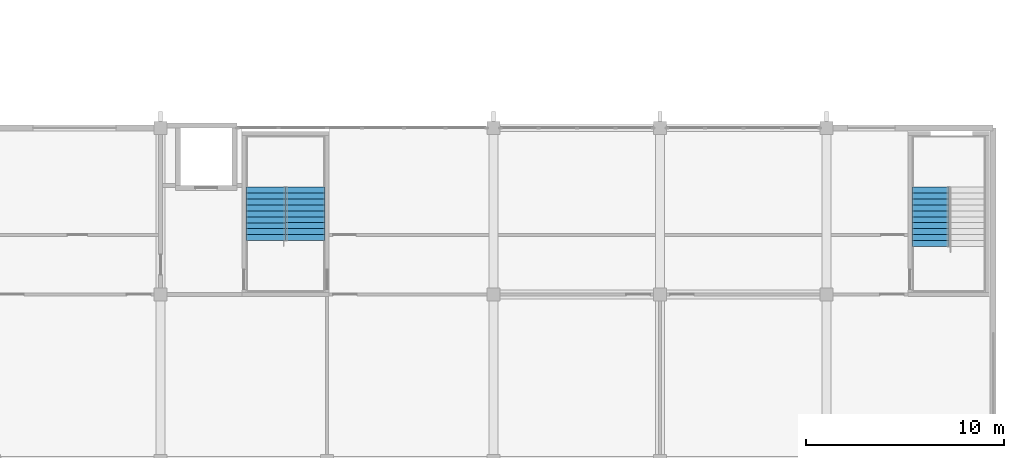
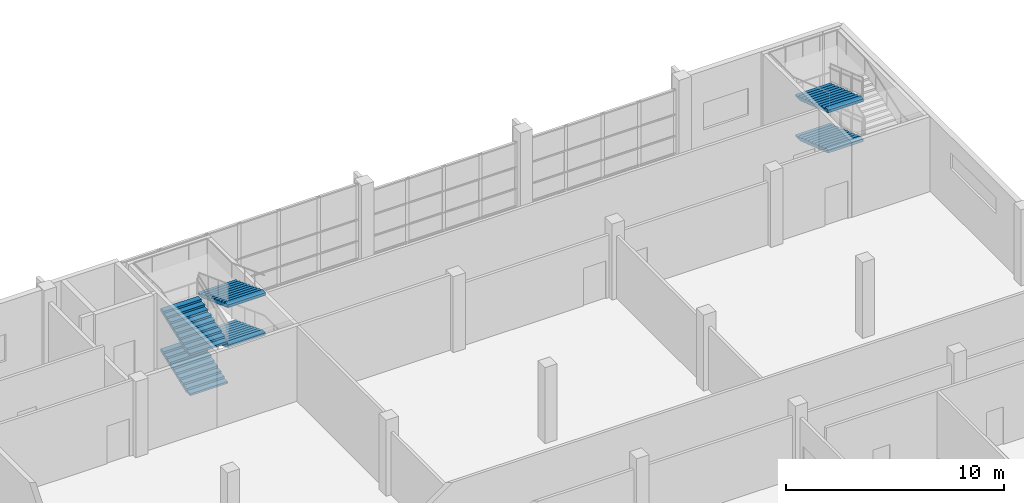
# One storey, part 48 of 64: 6 stair flights, 2 elements without a shape of their own.
"""IFC4 building model written with IfcOpenShell, lengths in metres."""

from ifc_helpers import new_model, si_unit, direction, frame, origin, place, context, subcontext, project, spatial, faceted_brep, material, type_object, element, aggregate, save


model = new_model("IFC4")

# Units and contexts
model_context = context("Model", 3, precision=1e-05, world=origin(), true_north=direction((0.0, 1.0)))
body_context = subcontext(model_context, "Body", "Model", "MODEL_VIEW")
ifc_project = project(units=[si_unit("LENGTHUNIT", "METRE"), si_unit("AREAUNIT", "SQUARE_METRE"), si_unit("VOLUMEUNIT", "CUBIC_METRE"), si_unit("PLANEANGLEUNIT", "RADIAN"), si_unit("MASSUNIT", "GRAM", prefix="KILO")], contexts=[model_context])

# Site, building, storey
site_placement = place(None, origin())
site = spatial("IfcSite", under=ifc_project, at=site_placement, CompositionType="ELEMENT")
building_placement = place(site_placement, origin())
building = spatial("IfcBuilding", under=site, at=building_placement, Name="Rulbaag Community and Learning Centre", CompositionType="ELEMENT")
storey_placement = place(building_placement, frame((0.0, 0.0, 5.39990234375)))
storey = spatial("IfcBuildingStorey", under=building, at=storey_placement, Name="L01", CompositionType="ELEMENT", Elevation=5.39990234375)

# Stair, stair flights
ifc_material = material(Name="Concrete M40", Category="concrete")
stair_type_1 = type_object("IfcStairType", Name="ST-1862 STAIR 1862 WIDE", PredefinedType="HALF_TURN_STAIR", material=ifc_material)
stair_1_placement = place(storey_placement, origin())
stair_1 = element("IfcStair", 1, at=stair_1_placement, inside=storey, type_object=stair_type_1, Name="Stair ST-H4 L01", PredefinedType="HALF_TURN_STAIR")
stair_flight_type_1 = type_object("IfcStairFlightType", Name="FL-1862 FLIGHT 1862 WIDE Concrete M40", PredefinedType="STRAIGHT", material=ifc_material)
stair_flight_1_placement = place(storey_placement, frame((164.831298828125, 47.41259765625, 1.125), z_axis=(0.0, 0.0, 1.0), x_axis=(0.0, -1.0, 0.0)))
stair_flight_1 = element("IfcStairFlight", 2, at=stair_flight_1_placement, type_object=stair_flight_type_1, Name="ST-H4 flight 2", NumberOfRisers=11, NumberOfTreads=10, PredefinedType="STRAIGHT", RiserHeight=0.102272727, TreadLength=0.3, context=body_context, shape_type="Brep", body=[
    faceted_brep([(0.43359375, -0.93115234375, 0.0), (3.0, -0.93115234375, 0.875), (3.0, -0.93115234375, 1.022705078125), (2.699951171875, -0.93115234375, 1.022705078125), (2.699951171875, -0.93115234375, 0.92041015625), (2.39990234375, -0.93115234375, 0.92041015625), (2.39990234375, -0.93115234375, 0.818115234375), (2.10009765625, -0.93115234375, 0.818115234375), (2.10009765625, -0.93115234375, 0.7158203125), (1.800048828125, -0.93115234375, 0.7158203125), (1.800048828125, -0.93115234375, 0.613525390625), (1.5, -0.93115234375, 0.613525390625), (1.5, -0.93115234375, 0.511474609375), (1.199951171875, -0.93115234375, 0.511474609375), (1.199951171875, -0.93115234375, 0.4091796875), (0.89990234375, -0.93115234375, 0.4091796875), (0.89990234375, -0.93115234375, 0.306884765625), (0.60009765625, -0.93115234375, 0.306884765625), (0.60009765625, -0.93115234375, 0.20458984375), (0.300048828125, -0.93115234375, 0.20458984375), (0.300048828125, -0.93115234375, 0.102294921875), (0.0, -0.93115234375, 0.102294921875), (0.0, -0.93115234375, 0.0), (0.0, 0.93115234375, 0.0), (0.0, 0.93115234375, 0.102294921875), (0.300048828125, 0.93115234375, 0.102294921875), (0.300048828125, 0.93115234375, 0.20458984375), (0.60009765625, 0.93115234375, 0.20458984375), (0.60009765625, 0.93115234375, 0.306884765625), (0.89990234375, 0.93115234375, 0.306884765625), (0.89990234375, 0.93115234375, 0.4091796875), (1.199951171875, 0.93115234375, 0.4091796875), (1.199951171875, 0.93115234375, 0.511474609375), (1.5, 0.93115234375, 0.511474609375), (1.5, 0.93115234375, 0.613525390625), (1.800048828125, 0.93115234375, 0.613525390625), (1.800048828125, 0.93115234375, 0.7158203125), (2.10009765625, 0.93115234375, 0.7158203125), (2.10009765625, 0.93115234375, 0.818115234375), (2.39990234375, 0.93115234375, 0.818115234375), (2.39990234375, 0.93115234375, 0.92041015625), (2.699951171875, 0.93115234375, 0.92041015625), (2.699951171875, 0.93115234375, 1.022705078125), (3.0, 0.93115234375, 1.022705078125), (3.0, 0.93115234375, 0.875), (0.43359375, 0.93115234375, 0.0), (0.0, 0.0, 0.102294921875), (0.0, 0.0, 0.0), (0.300048828125, 0.0, 0.102294921875), (0.300048828125, 0.0, 0.20458984375), (0.60009765625, 0.0, 0.20458984375), (0.60009765625, 0.0, 0.306884765625), (0.89990234375, 0.0, 0.306884765625), (0.89990234375, 0.0, 0.4091796875), (1.199951171875, 0.0, 0.4091796875), (1.199951171875, 0.0, 0.511474609375), (1.5, 0.0, 0.511474609375), (1.5, 0.0, 0.613525390625), (1.800048828125, 0.0, 0.613525390625), (1.800048828125, 0.0, 0.7158203125), (2.10009765625, 0.0, 0.7158203125), (2.10009765625, 0.0, 0.818115234375), (2.39990234375, 0.0, 0.818115234375), (2.39990234375, 0.0, 0.92041015625), (2.699951171875, 0.0, 0.92041015625), (2.699951171875, 0.0, 1.022705078125), (3.0, 0.0, 1.022705078125), (3.0, 0.0, 0.875), (0.43359375, 0.0, 0.0)], [[[0, 1, 2, 3, 4, 5, 6, 7, 8, 9, 10, 11, 12, 13, 14, 15, 16, 17, 18, 19, 20, 21, 22]], [[23, 24, 25, 26, 27, 28, 29, 30, 31, 32, 33, 34, 35, 36, 37, 38, 39, 40, 41, 42, 43, 44, 45]], [[22, 21, 46, 47]], [[47, 46, 24, 23]], [[21, 20, 48, 46]], [[46, 48, 25, 24]], [[20, 19, 49, 48]], [[48, 49, 26, 25]], [[19, 18, 50, 49]], [[49, 50, 27, 26]], [[18, 17, 51, 50]], [[50, 51, 28, 27]], [[17, 16, 52, 51]], [[51, 52, 29, 28]], [[16, 15, 53, 52]], [[52, 53, 30, 29]], [[15, 14, 54, 53]], [[53, 54, 31, 30]], [[14, 13, 55, 54]], [[54, 55, 32, 31]], [[13, 12, 56, 55]], [[55, 56, 33, 32]], [[12, 11, 57, 56]], [[56, 57, 34, 33]], [[11, 10, 58, 57]], [[57, 58, 35, 34]], [[10, 9, 59, 58]], [[58, 59, 36, 35]], [[9, 8, 60, 59]], [[59, 60, 37, 36]], [[8, 7, 61, 60]], [[60, 61, 38, 37]], [[7, 6, 62, 61]], [[61, 62, 39, 38]], [[6, 5, 63, 62]], [[62, 63, 40, 39]], [[5, 4, 64, 63]], [[63, 64, 41, 40]], [[4, 3, 65, 64]], [[64, 65, 42, 41]], [[3, 2, 66, 65]], [[65, 66, 43, 42]], [[2, 1, 67, 66]], [[66, 67, 44, 43]], [[1, 0, 68, 67]], [[67, 68, 45, 44]], [[0, 22, 47, 68]], [[68, 47, 23, 45]]]),
])
stair_flight_2_placement = place(storey_placement, frame((164.831298828125, 47.41259765625, 3.375), z_axis=(0.0, 0.0, 1.0), x_axis=(0.0, -1.0, 0.0)))
stair_flight_2 = element("IfcStairFlight", 3, at=stair_flight_2_placement, type_object=stair_flight_type_1, Name="ST-H4 flight 4", NumberOfRisers=11, NumberOfTreads=10, PredefinedType="STRAIGHT", RiserHeight=0.102272727, TreadLength=0.3, context=body_context, shape_type="Brep", body=[
    faceted_brep([(0.43359375, -0.93115234375, 0.0), (3.0, -0.93115234375, 0.875), (3.0, -0.93115234375, 1.022705078125), (2.699951171875, -0.93115234375, 1.022705078125), (2.699951171875, -0.93115234375, 0.92041015625), (2.39990234375, -0.93115234375, 0.92041015625), (2.39990234375, -0.93115234375, 0.818115234375), (2.10009765625, -0.93115234375, 0.818115234375), (2.10009765625, -0.93115234375, 0.7158203125), (1.800048828125, -0.93115234375, 0.7158203125), (1.800048828125, -0.93115234375, 0.613525390625), (1.5, -0.93115234375, 0.613525390625), (1.5, -0.93115234375, 0.511474609375), (1.199951171875, -0.93115234375, 0.511474609375), (1.199951171875, -0.93115234375, 0.4091796875), (0.89990234375, -0.93115234375, 0.4091796875), (0.89990234375, -0.93115234375, 0.306884765625), (0.60009765625, -0.93115234375, 0.306884765625), (0.60009765625, -0.93115234375, 0.20458984375), (0.300048828125, -0.93115234375, 0.20458984375), (0.300048828125, -0.93115234375, 0.102294921875), (0.0, -0.93115234375, 0.102294921875), (0.0, -0.93115234375, 0.0), (0.0, 0.93115234375, 0.0), (0.0, 0.93115234375, 0.102294921875), (0.300048828125, 0.93115234375, 0.102294921875), (0.300048828125, 0.93115234375, 0.20458984375), (0.60009765625, 0.93115234375, 0.20458984375), (0.60009765625, 0.93115234375, 0.306884765625), (0.89990234375, 0.93115234375, 0.306884765625), (0.89990234375, 0.93115234375, 0.4091796875), (1.199951171875, 0.93115234375, 0.4091796875), (1.199951171875, 0.93115234375, 0.511474609375), (1.5, 0.93115234375, 0.511474609375), (1.5, 0.93115234375, 0.613525390625), (1.800048828125, 0.93115234375, 0.613525390625), (1.800048828125, 0.93115234375, 0.7158203125), (2.10009765625, 0.93115234375, 0.7158203125), (2.10009765625, 0.93115234375, 0.818115234375), (2.39990234375, 0.93115234375, 0.818115234375), (2.39990234375, 0.93115234375, 0.92041015625), (2.699951171875, 0.93115234375, 0.92041015625), (2.699951171875, 0.93115234375, 1.022705078125), (3.0, 0.93115234375, 1.022705078125), (3.0, 0.93115234375, 0.875), (0.43359375, 0.93115234375, 0.0), (0.0, 0.0, 0.102294921875), (0.0, 0.0, 0.0), (0.300048828125, 0.0, 0.102294921875), (0.300048828125, 0.0, 0.20458984375), (0.60009765625, 0.0, 0.20458984375), (0.60009765625, 0.0, 0.306884765625), (0.89990234375, 0.0, 0.306884765625), (0.89990234375, 0.0, 0.4091796875), (1.199951171875, 0.0, 0.4091796875), (1.199951171875, 0.0, 0.511474609375), (1.5, 0.0, 0.511474609375), (1.5, 0.0, 0.613525390625), (1.800048828125, 0.0, 0.613525390625), (1.800048828125, 0.0, 0.7158203125), (2.10009765625, 0.0, 0.7158203125), (2.10009765625, 0.0, 0.818115234375), (2.39990234375, 0.0, 0.818115234375), (2.39990234375, 0.0, 0.92041015625), (2.699951171875, 0.0, 0.92041015625), (2.699951171875, 0.0, 1.022705078125), (3.0, 0.0, 1.022705078125), (3.0, 0.0, 0.875), (0.43359375, 0.0, 0.0)], [[[0, 1, 2, 3, 4, 5, 6, 7, 8, 9, 10, 11, 12, 13, 14, 15, 16, 17, 18, 19, 20, 21, 22]], [[23, 24, 25, 26, 27, 28, 29, 30, 31, 32, 33, 34, 35, 36, 37, 38, 39, 40, 41, 42, 43, 44, 45]], [[22, 21, 46, 47]], [[47, 46, 24, 23]], [[21, 20, 48, 46]], [[46, 48, 25, 24]], [[20, 19, 49, 48]], [[48, 49, 26, 25]], [[19, 18, 50, 49]], [[49, 50, 27, 26]], [[18, 17, 51, 50]], [[50, 51, 28, 27]], [[17, 16, 52, 51]], [[51, 52, 29, 28]], [[16, 15, 53, 52]], [[52, 53, 30, 29]], [[15, 14, 54, 53]], [[53, 54, 31, 30]], [[14, 13, 55, 54]], [[54, 55, 32, 31]], [[13, 12, 56, 55]], [[55, 56, 33, 32]], [[12, 11, 57, 56]], [[56, 57, 34, 33]], [[11, 10, 58, 57]], [[57, 58, 35, 34]], [[10, 9, 59, 58]], [[58, 59, 36, 35]], [[9, 8, 60, 59]], [[59, 60, 37, 36]], [[8, 7, 61, 60]], [[60, 61, 38, 37]], [[7, 6, 62, 61]], [[61, 62, 39, 38]], [[6, 5, 63, 62]], [[62, 63, 40, 39]], [[5, 4, 64, 63]], [[63, 64, 41, 40]], [[4, 3, 65, 64]], [[64, 65, 42, 41]], [[3, 2, 66, 65]], [[65, 66, 43, 42]], [[2, 1, 67, 66]], [[66, 67, 44, 43]], [[1, 0, 68, 67]], [[67, 68, 45, 44]], [[0, 22, 47, 68]], [[68, 47, 23, 45]]]),
])
aggregate(stair_1, [stair_flight_1, stair_flight_2])

stair_type_2 = type_object("IfcStairType", Name="ST-2000 STAIR 2000 WIDE", PredefinedType="HALF_TURN_STAIR", material=ifc_material)
stair_2_placement = place(storey_placement, origin())
stair_2 = element("IfcStair", 4, at=stair_2_placement, inside=storey, type_object=stair_type_2, Name="Stair ST-H3 L01", PredefinedType="HALF_TURN_STAIR")
stair_flight_type_2 = type_object("IfcStairFlightType", Name="FL-2000 FLIGHT 2000 WIDE Concrete M40", PredefinedType="STRAIGHT", material=ifc_material)
stair_flight_3_placement = place(storey_placement, frame((131.300048828125, 44.71240234375, 0.0), z_axis=(0.0, 0.0, 1.0), x_axis=(0.0, 1.0, 0.0)))
stair_flight_3 = element("IfcStairFlight", 5, at=stair_flight_3_placement, type_object=stair_flight_type_2, Name="ST-H3 flight 1", NumberOfRisers=10, NumberOfTreads=9, PredefinedType="STRAIGHT", RiserHeight=0.1125, TreadLength=0.3, context=body_context, shape_type="Brep", body=[
    faceted_brep([(0.3984375, -1.0, 0.0), (2.699951171875, -1.0, 0.863037109375), (2.699951171875, -1.0, 1.012451171875), (2.39990234375, -1.0, 1.012451171875), (2.39990234375, -1.0, 0.89990234375), (2.10009765625, -1.0, 0.89990234375), (2.10009765625, -1.0, 0.78759765625), (1.800048828125, -1.0, 0.78759765625), (1.800048828125, -1.0, 0.675048828125), (1.5, -1.0, 0.675048828125), (1.5, -1.0, 0.5625), (1.199951171875, -1.0, 0.5625), (1.199951171875, -1.0, 0.449951171875), (0.89990234375, -1.0, 0.449951171875), (0.89990234375, -1.0, 0.33740234375), (0.60009765625, -1.0, 0.33740234375), (0.60009765625, -1.0, 0.22509765625), (0.300048828125, -1.0, 0.22509765625), (0.300048828125, -1.0, 0.112548828125), (0.0, -1.0, 0.112548828125), (0.0, -1.0, 0.0), (0.0, 1.0, 0.0), (0.0, 1.0, 0.112548828125), (0.300048828125, 1.0, 0.112548828125), (0.300048828125, 1.0, 0.22509765625), (0.60009765625, 1.0, 0.22509765625), (0.60009765625, 1.0, 0.33740234375), (0.89990234375, 1.0, 0.33740234375), (0.89990234375, 1.0, 0.449951171875), (1.199951171875, 1.0, 0.449951171875), (1.199951171875, 1.0, 0.5625), (1.5, 1.0, 0.5625), (1.5, 1.0, 0.675048828125), (1.800048828125, 1.0, 0.675048828125), (1.800048828125, 1.0, 0.78759765625), (2.10009765625, 1.0, 0.78759765625), (2.10009765625, 1.0, 0.89990234375), (2.39990234375, 1.0, 0.89990234375), (2.39990234375, 1.0, 1.012451171875), (2.699951171875, 1.0, 1.012451171875), (2.699951171875, 1.0, 0.863037109375), (0.3984375, 1.0, 0.0), (0.0, -0.333251953125, 0.112548828125), (0.0, -0.333251953125, 0.0), (0.0, 0.333251953125, 0.112548828125), (0.0, 0.333251953125, 0.0), (0.300048828125, -0.333251953125, 0.112548828125), (0.300048828125, 0.333251953125, 0.112548828125), (0.300048828125, -0.333251953125, 0.22509765625), (0.300048828125, 0.333251953125, 0.22509765625), (0.60009765625, -0.333251953125, 0.22509765625), (0.60009765625, 0.333251953125, 0.22509765625), (0.60009765625, -0.333251953125, 0.33740234375), (0.60009765625, 0.333251953125, 0.33740234375), (0.89990234375, -0.333251953125, 0.33740234375), (0.89990234375, 0.333251953125, 0.33740234375), (0.89990234375, -0.333251953125, 0.449951171875), (0.89990234375, 0.333251953125, 0.449951171875), (1.199951171875, -0.333251953125, 0.449951171875), (1.199951171875, 0.333251953125, 0.449951171875), (1.199951171875, -0.333251953125, 0.5625), (1.199951171875, 0.333251953125, 0.5625), (1.5, -0.333251953125, 0.5625), (1.5, 0.333251953125, 0.5625), (1.5, -0.333251953125, 0.675048828125), (1.5, 0.333251953125, 0.675048828125), (1.800048828125, -0.333251953125, 0.675048828125), (1.800048828125, 0.333251953125, 0.675048828125), (1.800048828125, -0.333251953125, 0.78759765625), (1.800048828125, 0.333251953125, 0.78759765625), (2.10009765625, -0.333251953125, 0.78759765625), (2.10009765625, 0.333251953125, 0.78759765625), (2.10009765625, -0.333251953125, 0.89990234375), (2.10009765625, 0.333251953125, 0.89990234375), (2.39990234375, -0.333251953125, 0.89990234375), (2.39990234375, 0.333251953125, 0.89990234375), (2.39990234375, -0.333251953125, 1.012451171875), (2.39990234375, 0.333251953125, 1.012451171875), (2.699951171875, -0.333251953125, 1.012451171875), (2.699951171875, 0.333251953125, 1.012451171875), (2.699951171875, -0.333251953125, 0.863037109375), (2.699951171875, 0.333251953125, 0.863037109375), (0.3984375, -0.333251953125, 0.0), (0.3984375, 0.333251953125, 0.0)], [[[0, 1, 2, 3, 4, 5, 6, 7, 8, 9, 10, 11, 12, 13, 14, 15, 16, 17, 18, 19, 20]], [[21, 22, 23, 24, 25, 26, 27, 28, 29, 30, 31, 32, 33, 34, 35, 36, 37, 38, 39, 40, 41]], [[20, 19, 42, 43]], [[43, 42, 44, 45]], [[45, 44, 22, 21]], [[19, 18, 46, 42]], [[42, 46, 47, 44]], [[44, 47, 23, 22]], [[18, 17, 48, 46]], [[46, 48, 49, 47]], [[47, 49, 24, 23]], [[17, 16, 50, 48]], [[48, 50, 51, 49]], [[49, 51, 25, 24]], [[16, 15, 52, 50]], [[50, 52, 53, 51]], [[51, 53, 26, 25]], [[15, 14, 54, 52]], [[52, 54, 55, 53]], [[53, 55, 27, 26]], [[14, 13, 56, 54]], [[54, 56, 57, 55]], [[55, 57, 28, 27]], [[13, 12, 58, 56]], [[56, 58, 59, 57]], [[57, 59, 29, 28]], [[12, 11, 60, 58]], [[58, 60, 61, 59]], [[59, 61, 30, 29]], [[11, 10, 62, 60]], [[60, 62, 63, 61]], [[61, 63, 31, 30]], [[10, 9, 64, 62]], [[62, 64, 65, 63]], [[63, 65, 32, 31]], [[9, 8, 66, 64]], [[64, 66, 67, 65]], [[65, 67, 33, 32]], [[8, 7, 68, 66]], [[66, 68, 69, 67]], [[67, 69, 34, 33]], [[7, 6, 70, 68]], [[68, 70, 71, 69]], [[69, 71, 35, 34]], [[6, 5, 72, 70]], [[70, 72, 73, 71]], [[71, 73, 36, 35]], [[5, 4, 74, 72]], [[72, 74, 75, 73]], [[73, 75, 37, 36]], [[4, 3, 76, 74]], [[74, 76, 77, 75]], [[75, 77, 38, 37]], [[3, 2, 78, 76]], [[76, 78, 79, 77]], [[77, 79, 39, 38]], [[2, 1, 80, 78]], [[78, 80, 81, 79]], [[79, 81, 40, 39]], [[1, 0, 82, 80]], [[80, 82, 83, 81]], [[81, 83, 41, 40]], [[0, 20, 43, 82]], [[82, 43, 45, 83]], [[83, 45, 21, 41]]]),
])
stair_flight_4_placement = place(storey_placement, frame((133.300048828125, 47.41259765625, 1.125), z_axis=(0.0, 0.0, 1.0), x_axis=(0.0, -1.0, 0.0)))
stair_flight_4 = element("IfcStairFlight", 6, at=stair_flight_4_placement, type_object=stair_flight_type_2, Name="ST-H3 flight 2", NumberOfRisers=10, NumberOfTreads=9, PredefinedType="STRAIGHT", RiserHeight=0.1125, TreadLength=0.3, context=body_context, shape_type="Brep", body=[
    faceted_brep([(0.3984375, -1.0, 0.0), (2.699951171875, -1.0, 0.863037109375), (2.699951171875, -1.0, 1.012451171875), (2.39990234375, -1.0, 1.012451171875), (2.39990234375, -1.0, 0.89990234375), (2.10009765625, -1.0, 0.89990234375), (2.10009765625, -1.0, 0.78759765625), (1.800048828125, -1.0, 0.78759765625), (1.800048828125, -1.0, 0.675048828125), (1.5, -1.0, 0.675048828125), (1.5, -1.0, 0.5625), (1.199951171875, -1.0, 0.5625), (1.199951171875, -1.0, 0.449951171875), (0.89990234375, -1.0, 0.449951171875), (0.89990234375, -1.0, 0.33740234375), (0.60009765625, -1.0, 0.33740234375), (0.60009765625, -1.0, 0.22509765625), (0.300048828125, -1.0, 0.22509765625), (0.300048828125, -1.0, 0.112548828125), (0.0, -1.0, 0.112548828125), (0.0, -1.0, 0.0), (0.0, 1.0, 0.0), (0.0, 1.0, 0.112548828125), (0.300048828125, 1.0, 0.112548828125), (0.300048828125, 1.0, 0.22509765625), (0.60009765625, 1.0, 0.22509765625), (0.60009765625, 1.0, 0.33740234375), (0.89990234375, 1.0, 0.33740234375), (0.89990234375, 1.0, 0.449951171875), (1.199951171875, 1.0, 0.449951171875), (1.199951171875, 1.0, 0.5625), (1.5, 1.0, 0.5625), (1.5, 1.0, 0.675048828125), (1.800048828125, 1.0, 0.675048828125), (1.800048828125, 1.0, 0.78759765625), (2.10009765625, 1.0, 0.78759765625), (2.10009765625, 1.0, 0.89990234375), (2.39990234375, 1.0, 0.89990234375), (2.39990234375, 1.0, 1.012451171875), (2.699951171875, 1.0, 1.012451171875), (2.699951171875, 1.0, 0.863037109375), (0.3984375, 1.0, 0.0), (0.0, -0.333251953125, 0.112548828125), (0.0, -0.333251953125, 0.0), (0.0, 0.333251953125, 0.112548828125), (0.0, 0.333251953125, 0.0), (0.300048828125, -0.333251953125, 0.112548828125), (0.300048828125, 0.333251953125, 0.112548828125), (0.300048828125, -0.333251953125, 0.22509765625), (0.300048828125, 0.333251953125, 0.22509765625), (0.60009765625, -0.333251953125, 0.22509765625), (0.60009765625, 0.333251953125, 0.22509765625), (0.60009765625, -0.333251953125, 0.33740234375), (0.60009765625, 0.333251953125, 0.33740234375), (0.89990234375, -0.333251953125, 0.33740234375), (0.89990234375, 0.333251953125, 0.33740234375), (0.89990234375, -0.333251953125, 0.449951171875), (0.89990234375, 0.333251953125, 0.449951171875), (1.199951171875, -0.333251953125, 0.449951171875), (1.199951171875, 0.333251953125, 0.449951171875), (1.199951171875, -0.333251953125, 0.5625), (1.199951171875, 0.333251953125, 0.5625), (1.5, -0.333251953125, 0.5625), (1.5, 0.333251953125, 0.5625), (1.5, -0.333251953125, 0.675048828125), (1.5, 0.333251953125, 0.675048828125), (1.800048828125, -0.333251953125, 0.675048828125), (1.800048828125, 0.333251953125, 0.675048828125), (1.800048828125, -0.333251953125, 0.78759765625), (1.800048828125, 0.333251953125, 0.78759765625), (2.10009765625, -0.333251953125, 0.78759765625), (2.10009765625, 0.333251953125, 0.78759765625), (2.10009765625, -0.333251953125, 0.89990234375), (2.10009765625, 0.333251953125, 0.89990234375), (2.39990234375, -0.333251953125, 0.89990234375), (2.39990234375, 0.333251953125, 0.89990234375), (2.39990234375, -0.333251953125, 1.012451171875), (2.39990234375, 0.333251953125, 1.012451171875), (2.699951171875, -0.333251953125, 1.012451171875), (2.699951171875, 0.333251953125, 1.012451171875), (2.699951171875, -0.333251953125, 0.863037109375), (2.699951171875, 0.333251953125, 0.863037109375), (0.3984375, -0.333251953125, 0.0), (0.3984375, 0.333251953125, 0.0)], [[[0, 1, 2, 3, 4, 5, 6, 7, 8, 9, 10, 11, 12, 13, 14, 15, 16, 17, 18, 19, 20]], [[21, 22, 23, 24, 25, 26, 27, 28, 29, 30, 31, 32, 33, 34, 35, 36, 37, 38, 39, 40, 41]], [[20, 19, 42, 43]], [[43, 42, 44, 45]], [[45, 44, 22, 21]], [[19, 18, 46, 42]], [[42, 46, 47, 44]], [[44, 47, 23, 22]], [[18, 17, 48, 46]], [[46, 48, 49, 47]], [[47, 49, 24, 23]], [[17, 16, 50, 48]], [[48, 50, 51, 49]], [[49, 51, 25, 24]], [[16, 15, 52, 50]], [[50, 52, 53, 51]], [[51, 53, 26, 25]], [[15, 14, 54, 52]], [[52, 54, 55, 53]], [[53, 55, 27, 26]], [[14, 13, 56, 54]], [[54, 56, 57, 55]], [[55, 57, 28, 27]], [[13, 12, 58, 56]], [[56, 58, 59, 57]], [[57, 59, 29, 28]], [[12, 11, 60, 58]], [[58, 60, 61, 59]], [[59, 61, 30, 29]], [[11, 10, 62, 60]], [[60, 62, 63, 61]], [[61, 63, 31, 30]], [[10, 9, 64, 62]], [[62, 64, 65, 63]], [[63, 65, 32, 31]], [[9, 8, 66, 64]], [[64, 66, 67, 65]], [[65, 67, 33, 32]], [[8, 7, 68, 66]], [[66, 68, 69, 67]], [[67, 69, 34, 33]], [[7, 6, 70, 68]], [[68, 70, 71, 69]], [[69, 71, 35, 34]], [[6, 5, 72, 70]], [[70, 72, 73, 71]], [[71, 73, 36, 35]], [[5, 4, 74, 72]], [[72, 74, 75, 73]], [[73, 75, 37, 36]], [[4, 3, 76, 74]], [[74, 76, 77, 75]], [[75, 77, 38, 37]], [[3, 2, 78, 76]], [[76, 78, 79, 77]], [[77, 79, 39, 38]], [[2, 1, 80, 78]], [[78, 80, 81, 79]], [[79, 81, 40, 39]], [[1, 0, 82, 80]], [[80, 82, 83, 81]], [[81, 83, 41, 40]], [[0, 20, 43, 82]], [[82, 43, 45, 83]], [[83, 45, 21, 41]]]),
])
stair_flight_5_placement = place(storey_placement, frame((131.300048828125, 44.71240234375, 2.25), z_axis=(0.0, 0.0, 1.0), x_axis=(0.0, 1.0, 0.0)))
stair_flight_5 = element("IfcStairFlight", 7, at=stair_flight_5_placement, type_object=stair_flight_type_2, Name="ST-H3 flight 3", NumberOfRisers=10, NumberOfTreads=9, PredefinedType="STRAIGHT", RiserHeight=0.1125, TreadLength=0.3, context=body_context, shape_type="Brep", body=[
    faceted_brep([(0.3984375, -1.0, 0.0), (2.699951171875, -1.0, 0.863037109375), (2.699951171875, -1.0, 1.012451171875), (2.39990234375, -1.0, 1.012451171875), (2.39990234375, -1.0, 0.89990234375), (2.10009765625, -1.0, 0.89990234375), (2.10009765625, -1.0, 0.78759765625), (1.800048828125, -1.0, 0.78759765625), (1.800048828125, -1.0, 0.675048828125), (1.5, -1.0, 0.675048828125), (1.5, -1.0, 0.5625), (1.199951171875, -1.0, 0.5625), (1.199951171875, -1.0, 0.449951171875), (0.89990234375, -1.0, 0.449951171875), (0.89990234375, -1.0, 0.33740234375), (0.60009765625, -1.0, 0.33740234375), (0.60009765625, -1.0, 0.22509765625), (0.300048828125, -1.0, 0.22509765625), (0.300048828125, -1.0, 0.112548828125), (0.0, -1.0, 0.112548828125), (0.0, -1.0, 0.0), (0.0, 1.0, 0.0), (0.0, 1.0, 0.112548828125), (0.300048828125, 1.0, 0.112548828125), (0.300048828125, 1.0, 0.22509765625), (0.60009765625, 1.0, 0.22509765625), (0.60009765625, 1.0, 0.33740234375), (0.89990234375, 1.0, 0.33740234375), (0.89990234375, 1.0, 0.449951171875), (1.199951171875, 1.0, 0.449951171875), (1.199951171875, 1.0, 0.5625), (1.5, 1.0, 0.5625), (1.5, 1.0, 0.675048828125), (1.800048828125, 1.0, 0.675048828125), (1.800048828125, 1.0, 0.78759765625), (2.10009765625, 1.0, 0.78759765625), (2.10009765625, 1.0, 0.89990234375), (2.39990234375, 1.0, 0.89990234375), (2.39990234375, 1.0, 1.012451171875), (2.699951171875, 1.0, 1.012451171875), (2.699951171875, 1.0, 0.863037109375), (0.3984375, 1.0, 0.0), (0.0, -0.333251953125, 0.112548828125), (0.0, -0.333251953125, 0.0), (0.0, 0.333251953125, 0.112548828125), (0.0, 0.333251953125, 0.0), (0.300048828125, -0.333251953125, 0.112548828125), (0.300048828125, 0.333251953125, 0.112548828125), (0.300048828125, -0.333251953125, 0.22509765625), (0.300048828125, 0.333251953125, 0.22509765625), (0.60009765625, -0.333251953125, 0.22509765625), (0.60009765625, 0.333251953125, 0.22509765625), (0.60009765625, -0.333251953125, 0.33740234375), (0.60009765625, 0.333251953125, 0.33740234375), (0.89990234375, -0.333251953125, 0.33740234375), (0.89990234375, 0.333251953125, 0.33740234375), (0.89990234375, -0.333251953125, 0.449951171875), (0.89990234375, 0.333251953125, 0.449951171875), (1.199951171875, -0.333251953125, 0.449951171875), (1.199951171875, 0.333251953125, 0.449951171875), (1.199951171875, -0.333251953125, 0.5625), (1.199951171875, 0.333251953125, 0.5625), (1.5, -0.333251953125, 0.5625), (1.5, 0.333251953125, 0.5625), (1.5, -0.333251953125, 0.675048828125), (1.5, 0.333251953125, 0.675048828125), (1.800048828125, -0.333251953125, 0.675048828125), (1.800048828125, 0.333251953125, 0.675048828125), (1.800048828125, -0.333251953125, 0.78759765625), (1.800048828125, 0.333251953125, 0.78759765625), (2.10009765625, -0.333251953125, 0.78759765625), (2.10009765625, 0.333251953125, 0.78759765625), (2.10009765625, -0.333251953125, 0.89990234375), (2.10009765625, 0.333251953125, 0.89990234375), (2.39990234375, -0.333251953125, 0.89990234375), (2.39990234375, 0.333251953125, 0.89990234375), (2.39990234375, -0.333251953125, 1.012451171875), (2.39990234375, 0.333251953125, 1.012451171875), (2.699951171875, -0.333251953125, 1.012451171875), (2.699951171875, 0.333251953125, 1.012451171875), (2.699951171875, -0.333251953125, 0.863037109375), (2.699951171875, 0.333251953125, 0.863037109375), (0.3984375, -0.333251953125, 0.0), (0.3984375, 0.333251953125, 0.0)], [[[0, 1, 2, 3, 4, 5, 6, 7, 8, 9, 10, 11, 12, 13, 14, 15, 16, 17, 18, 19, 20]], [[21, 22, 23, 24, 25, 26, 27, 28, 29, 30, 31, 32, 33, 34, 35, 36, 37, 38, 39, 40, 41]], [[20, 19, 42, 43]], [[43, 42, 44, 45]], [[45, 44, 22, 21]], [[19, 18, 46, 42]], [[42, 46, 47, 44]], [[44, 47, 23, 22]], [[18, 17, 48, 46]], [[46, 48, 49, 47]], [[47, 49, 24, 23]], [[17, 16, 50, 48]], [[48, 50, 51, 49]], [[49, 51, 25, 24]], [[16, 15, 52, 50]], [[50, 52, 53, 51]], [[51, 53, 26, 25]], [[15, 14, 54, 52]], [[52, 54, 55, 53]], [[53, 55, 27, 26]], [[14, 13, 56, 54]], [[54, 56, 57, 55]], [[55, 57, 28, 27]], [[13, 12, 58, 56]], [[56, 58, 59, 57]], [[57, 59, 29, 28]], [[12, 11, 60, 58]], [[58, 60, 61, 59]], [[59, 61, 30, 29]], [[11, 10, 62, 60]], [[60, 62, 63, 61]], [[61, 63, 31, 30]], [[10, 9, 64, 62]], [[62, 64, 65, 63]], [[63, 65, 32, 31]], [[9, 8, 66, 64]], [[64, 66, 67, 65]], [[65, 67, 33, 32]], [[8, 7, 68, 66]], [[66, 68, 69, 67]], [[67, 69, 34, 33]], [[7, 6, 70, 68]], [[68, 70, 71, 69]], [[69, 71, 35, 34]], [[6, 5, 72, 70]], [[70, 72, 73, 71]], [[71, 73, 36, 35]], [[5, 4, 74, 72]], [[72, 74, 75, 73]], [[73, 75, 37, 36]], [[4, 3, 76, 74]], [[74, 76, 77, 75]], [[75, 77, 38, 37]], [[3, 2, 78, 76]], [[76, 78, 79, 77]], [[77, 79, 39, 38]], [[2, 1, 80, 78]], [[78, 80, 81, 79]], [[79, 81, 40, 39]], [[1, 0, 82, 80]], [[80, 82, 83, 81]], [[81, 83, 41, 40]], [[0, 20, 43, 82]], [[82, 43, 45, 83]], [[83, 45, 21, 41]]]),
])
stair_flight_6_placement = place(storey_placement, frame((133.300048828125, 47.41259765625, 3.375), z_axis=(0.0, 0.0, 1.0), x_axis=(0.0, -1.0, 0.0)))
stair_flight_6 = element("IfcStairFlight", 8, at=stair_flight_6_placement, type_object=stair_flight_type_2, Name="ST-H3 flight 4", NumberOfRisers=10, NumberOfTreads=9, PredefinedType="STRAIGHT", RiserHeight=0.1125, TreadLength=0.3, context=body_context, shape_type="Brep", body=[
    faceted_brep([(0.3984375, -1.0, 0.0), (2.699951171875, -1.0, 0.863037109375), (2.699951171875, -1.0, 1.012451171875), (2.39990234375, -1.0, 1.012451171875), (2.39990234375, -1.0, 0.89990234375), (2.10009765625, -1.0, 0.89990234375), (2.10009765625, -1.0, 0.78759765625), (1.800048828125, -1.0, 0.78759765625), (1.800048828125, -1.0, 0.675048828125), (1.5, -1.0, 0.675048828125), (1.5, -1.0, 0.5625), (1.199951171875, -1.0, 0.5625), (1.199951171875, -1.0, 0.449951171875), (0.89990234375, -1.0, 0.449951171875), (0.89990234375, -1.0, 0.33740234375), (0.60009765625, -1.0, 0.33740234375), (0.60009765625, -1.0, 0.22509765625), (0.300048828125, -1.0, 0.22509765625), (0.300048828125, -1.0, 0.112548828125), (0.0, -1.0, 0.112548828125), (0.0, -1.0, 0.0), (0.0, 1.0, 0.0), (0.0, 1.0, 0.112548828125), (0.300048828125, 1.0, 0.112548828125), (0.300048828125, 1.0, 0.22509765625), (0.60009765625, 1.0, 0.22509765625), (0.60009765625, 1.0, 0.33740234375), (0.89990234375, 1.0, 0.33740234375), (0.89990234375, 1.0, 0.449951171875), (1.199951171875, 1.0, 0.449951171875), (1.199951171875, 1.0, 0.5625), (1.5, 1.0, 0.5625), (1.5, 1.0, 0.675048828125), (1.800048828125, 1.0, 0.675048828125), (1.800048828125, 1.0, 0.78759765625), (2.10009765625, 1.0, 0.78759765625), (2.10009765625, 1.0, 0.89990234375), (2.39990234375, 1.0, 0.89990234375), (2.39990234375, 1.0, 1.012451171875), (2.699951171875, 1.0, 1.012451171875), (2.699951171875, 1.0, 0.863037109375), (0.3984375, 1.0, 0.0), (0.0, -0.333251953125, 0.112548828125), (0.0, -0.333251953125, 0.0), (0.0, 0.333251953125, 0.112548828125), (0.0, 0.333251953125, 0.0), (0.300048828125, -0.333251953125, 0.112548828125), (0.300048828125, 0.333251953125, 0.112548828125), (0.300048828125, -0.333251953125, 0.22509765625), (0.300048828125, 0.333251953125, 0.22509765625), (0.60009765625, -0.333251953125, 0.22509765625), (0.60009765625, 0.333251953125, 0.22509765625), (0.60009765625, -0.333251953125, 0.33740234375), (0.60009765625, 0.333251953125, 0.33740234375), (0.89990234375, -0.333251953125, 0.33740234375), (0.89990234375, 0.333251953125, 0.33740234375), (0.89990234375, -0.333251953125, 0.449951171875), (0.89990234375, 0.333251953125, 0.449951171875), (1.199951171875, -0.333251953125, 0.449951171875), (1.199951171875, 0.333251953125, 0.449951171875), (1.199951171875, -0.333251953125, 0.5625), (1.199951171875, 0.333251953125, 0.5625), (1.5, -0.333251953125, 0.5625), (1.5, 0.333251953125, 0.5625), (1.5, -0.333251953125, 0.675048828125), (1.5, 0.333251953125, 0.675048828125), (1.800048828125, -0.333251953125, 0.675048828125), (1.800048828125, 0.333251953125, 0.675048828125), (1.800048828125, -0.333251953125, 0.78759765625), (1.800048828125, 0.333251953125, 0.78759765625), (2.10009765625, -0.333251953125, 0.78759765625), (2.10009765625, 0.333251953125, 0.78759765625), (2.10009765625, -0.333251953125, 0.89990234375), (2.10009765625, 0.333251953125, 0.89990234375), (2.39990234375, -0.333251953125, 0.89990234375), (2.39990234375, 0.333251953125, 0.89990234375), (2.39990234375, -0.333251953125, 1.012451171875), (2.39990234375, 0.333251953125, 1.012451171875), (2.699951171875, -0.333251953125, 1.012451171875), (2.699951171875, 0.333251953125, 1.012451171875), (2.699951171875, -0.333251953125, 0.863037109375), (2.699951171875, 0.333251953125, 0.863037109375), (0.3984375, -0.333251953125, 0.0), (0.3984375, 0.333251953125, 0.0)], [[[0, 1, 2, 3, 4, 5, 6, 7, 8, 9, 10, 11, 12, 13, 14, 15, 16, 17, 18, 19, 20]], [[21, 22, 23, 24, 25, 26, 27, 28, 29, 30, 31, 32, 33, 34, 35, 36, 37, 38, 39, 40, 41]], [[20, 19, 42, 43]], [[43, 42, 44, 45]], [[45, 44, 22, 21]], [[19, 18, 46, 42]], [[42, 46, 47, 44]], [[44, 47, 23, 22]], [[18, 17, 48, 46]], [[46, 48, 49, 47]], [[47, 49, 24, 23]], [[17, 16, 50, 48]], [[48, 50, 51, 49]], [[49, 51, 25, 24]], [[16, 15, 52, 50]], [[50, 52, 53, 51]], [[51, 53, 26, 25]], [[15, 14, 54, 52]], [[52, 54, 55, 53]], [[53, 55, 27, 26]], [[14, 13, 56, 54]], [[54, 56, 57, 55]], [[55, 57, 28, 27]], [[13, 12, 58, 56]], [[56, 58, 59, 57]], [[57, 59, 29, 28]], [[12, 11, 60, 58]], [[58, 60, 61, 59]], [[59, 61, 30, 29]], [[11, 10, 62, 60]], [[60, 62, 63, 61]], [[61, 63, 31, 30]], [[10, 9, 64, 62]], [[62, 64, 65, 63]], [[63, 65, 32, 31]], [[9, 8, 66, 64]], [[64, 66, 67, 65]], [[65, 67, 33, 32]], [[8, 7, 68, 66]], [[66, 68, 69, 67]], [[67, 69, 34, 33]], [[7, 6, 70, 68]], [[68, 70, 71, 69]], [[69, 71, 35, 34]], [[6, 5, 72, 70]], [[70, 72, 73, 71]], [[71, 73, 36, 35]], [[5, 4, 74, 72]], [[72, 74, 75, 73]], [[73, 75, 37, 36]], [[4, 3, 76, 74]], [[74, 76, 77, 75]], [[75, 77, 38, 37]], [[3, 2, 78, 76]], [[76, 78, 79, 77]], [[77, 79, 39, 38]], [[2, 1, 80, 78]], [[78, 80, 81, 79]], [[79, 81, 40, 39]], [[1, 0, 82, 80]], [[80, 82, 83, 81]], [[81, 83, 41, 40]], [[0, 20, 43, 82]], [[82, 43, 45, 83]], [[83, 45, 21, 41]]]),
])
aggregate(stair_2, [stair_flight_3, stair_flight_4, stair_flight_5, stair_flight_6])

save(model, "model.ifc")
